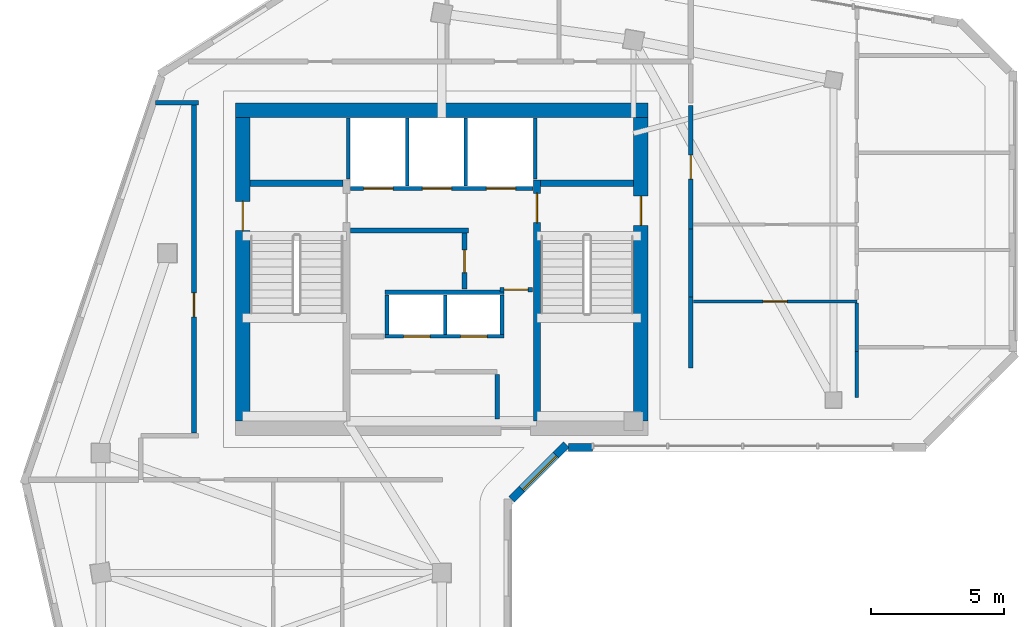
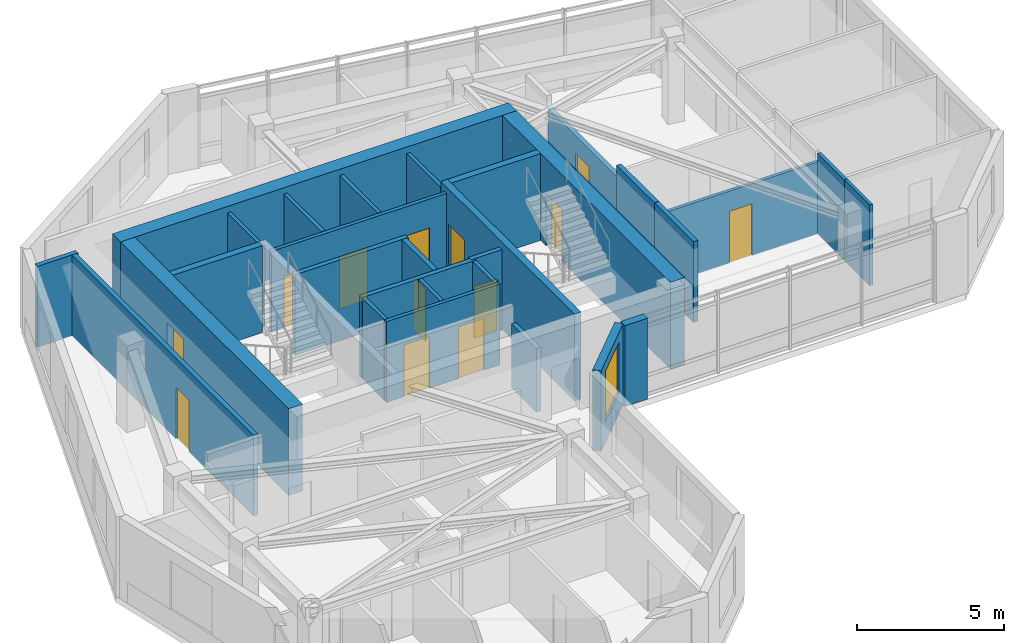
# One storey, part 5 of 10: 30 walls, 13 doors, 1 window, 14 openings.
"""IFC4 building model written with IfcOpenShell, lengths in metres."""

from ifc_helpers import new_model, si_unit, direction, frame, frame_2d, origin, place, context, subcontext, project, spatial, rectangle, extrude, source, transform, mapped, material, layer, layer_set, type_object, element, fill, save


model = new_model("IFC4")

# Units and contexts
model_context = context("Model", 3, precision=1e-05, world=origin(), true_north=direction((0.0, 1.0)))
body_context = subcontext(model_context, "Body", "Model", "MODEL_VIEW")
ifc_project = project(units=[si_unit("LENGTHUNIT", "METRE"), si_unit("AREAUNIT", "SQUARE_METRE"), si_unit("VOLUMEUNIT", "CUBIC_METRE"), si_unit("PLANEANGLEUNIT", "RADIAN"), si_unit("MASSUNIT", "GRAM", prefix="KILO")], contexts=[model_context])

# Site, building, storey
site_placement = place(None, origin())
site = spatial("IfcSite", under=ifc_project, at=site_placement, CompositionType="ELEMENT")
building_placement = place(site_placement, origin())
building = spatial("IfcBuilding", under=site, at=building_placement, Name="Calvemar Wedge Station Tower", CompositionType="ELEMENT")
storey_placement = place(building_placement, frame((0.0, 0.0, 252.89990234375)))
storey = spatial("IfcBuildingStorey", under=building, at=storey_placement, Name="L64", CompositionType="ELEMENT", Elevation=252.89990234375)

# Wall, opening, door
ifc_material_1 = material(Name="Concrete C50", Category="concrete")
ifc_layer_1 = layer(ifc_material_1, 0.260009765625)
ifc_layer_set_1 = layer_set([ifc_layer_1], Name="Concrete C50")
wall_type_1 = type_object("IfcWallType", Name="SW-CORE-260", PredefinedType="SHEAR", material=ifc_layer_set_1)
wall_1_placement = place(storey_placement, frame((27.3701171875, 34.199951171875, 0.0), z_axis=(0.0, 0.0, 1.0), x_axis=(0.0, 1.0, 0.0)))
wall_1 = element("IfcWall", 1, at=wall_1_placement, inside=storey, type_object=wall_type_1, Name="Storey L64 Core Shear Wall SPINE-E", PredefinedType="SHEAR", context=body_context, shape_type="SweptSolid", body=[
    extrude(rectangle(XDim=9.06005859375, YDim=0.260009765625, at=frame_2d((4.530029296875, 0.0))), origin(), (0.0, 0.0, 1.0), 3.60009765625),
])
shared_shape_1 = source(origin(), body_context, "Body", "SweptSolid", [
    extrude(rectangle(XDim=1.10009765625, YDim=2.14990234375, at=frame_2d((0.550048828125, 1.074951171875))), frame((0.0, 0.14013671875, 0.0), z_axis=(0.0, -1.0, 0.0), x_axis=(1.0, 0.0, 0.0)), (0.0, 0.0, 1.0), 0.280029296875),
])
opening_1_placement = place(wall_1_placement, frame((7.449951171875, 0.0, 0.0)))
opening_1 = element("IfcOpeningElement", 2, at=opening_1_placement, cuts=wall_1, Name="Opening FD-90", PredefinedType="OPENING", context=body_context, shape_type="MappedRepresentation", body=[
    mapped(shared_shape_1, transform((0.0, 0.0, 0.0), scale=1.0)),
])
ifc_material_2 = material(Name="Galvanized fire-rated steel door leaf P-90", Category="steel")
door_type_1 = type_object("IfcDoorType", Name="DR-FD90-1100", OperationType="NOTDEFINED", PredefinedType="DOOR", material=ifc_material_2)
shared_shape_2 = source(origin(), body_context, "Body", "SweptSolid", [
    extrude(rectangle(XDim=1.10009765625, YDim=2.14990234375, at=frame_2d((0.550048828125, 1.074951171875))), frame((0.0, 0.02490234375, 0.0), z_axis=(0.0, -1.0, 0.0), x_axis=(1.0, 0.0, 0.0)), (0.0, 0.0, 1.0), 0.050048828125),
])
door_1_placement = place(opening_1_placement, origin())
door_1 = element("IfcDoor", 3, at=door_1_placement, inside=storey, type_object=door_type_1, Name="L64 FF Lobby to Stair ST-C2 Door", OperationType="SINGLE_SWING_LEFT", OverallHeight=2.14990234375, OverallWidth=1.10009765625, PredefinedType="DOOR", context=body_context, shape_type="MappedRepresentation", body=[
    mapped(shared_shape_2, transform((0.0, 0.0, 0.0), scale=1.0)),
])
fill(opening_1, door_1)

# Walls
for number, where, z_axis, x_axis, name in (
    (4, (16.60009765625, 43.1298828125, 0.0), (0.0, 0.0, 1.0), (1.0, 0.0, 0.0), "Storey L64 Core Shear Wall STC1-N"),
    (5, (27.5, 43.1298828125, 0.0), (0.0, 0.0, 1.0), (1.0, 0.0, 0.0), "Storey L64 Core Shear Wall STC2-N"),
):
    element("IfcWall", number, at=place(storey_placement, frame(where, z_axis=z_axis, x_axis=x_axis)), inside=storey, type_object=wall_type_1, Name=name, PredefinedType="SHEAR", context=body_context, shape_type="SweptSolid", body=[
        extrude(rectangle(XDim=3.5, YDim=0.260009765625, at=frame_2d((1.75, 0.0))), origin(), (0.0, 0.0, 1.0), 3.60009765625),
    ])
ifc_material_3 = material(Name="Concrete C60", Category="concrete")
ifc_layer_2 = layer(ifc_material_3, 0.550048828125)
ifc_layer_set_2 = layer_set([ifc_layer_2], Name="Concrete C60")
wall_type_2 = type_object("IfcWallType", Name="SW-CORE-550", PredefinedType="SHEAR", material=ifc_layer_set_2)
wall_2_placement = place(storey_placement, frame((16.050048828125, 45.875, 0.0), z_axis=(0.0, 0.0, 1.0), x_axis=(1.0, 0.0, 0.0)))
element("IfcWall", 6, at=wall_2_placement, inside=storey, type_object=wall_type_2, Name="Storey L64 Core Shear Wall N", PredefinedType="SHEAR", context=body_context, shape_type="SweptSolid", body=[
    extrude(rectangle(XDim=15.5, YDim=0.550048828125, at=frame_2d((7.75, 0.0))), origin(), (0.0, 0.0, 1.0), 3.60009765625),
])

# Wall, opening, door
wall_3_placement = place(storey_placement, frame((16.324951171875, 34.199951171875, 0.0), z_axis=(0.0, 0.0, 1.0), x_axis=(0.0, 1.0, 0.0)))
wall_3 = element("IfcWall", 7, at=wall_3_placement, inside=storey, type_object=wall_type_2, Name="Storey L64 Core Shear Wall W", PredefinedType="SHEAR", context=body_context, shape_type="SweptSolid", body=[
    extrude(rectangle(XDim=11.400146484375, YDim=0.550048828125, at=frame_2d((5.7001953125, 0.0))), origin(), (0.0, 0.0, 1.0), 3.60009765625),
])
shared_shape_3 = source(origin(), body_context, "Body", "SweptSolid", [
    extrude(rectangle(XDim=1.10009765625, YDim=2.14990234375, at=frame_2d((0.550048828125, 1.074951171875))), frame((0.0, 0.28515625, 0.0), z_axis=(0.0, -1.0, 0.0), x_axis=(1.0, 0.0, 0.0)), (0.0, 0.0, 1.0), 0.570068359375),
])
opening_2_placement = place(wall_3_placement, frame((7.14990234375, 0.0, 0.0)))
opening_2 = element("IfcOpeningElement", 8, at=opening_2_placement, cuts=wall_3, Name="Opening FD-90", PredefinedType="OPENING", context=body_context, shape_type="MappedRepresentation", body=[
    mapped(shared_shape_3, transform((0.0, 0.0, 0.0), scale=1.0)),
])
door_2_placement = place(opening_2_placement, origin())
door_2 = element("IfcDoor", 9, at=door_2_placement, inside=storey, type_object=door_type_1, Name="L64 West Corridor to Exit Stair ST-C1 Door", OperationType="SINGLE_SWING_RIGHT", OverallHeight=2.14990234375, OverallWidth=1.10009765625, PredefinedType="DOOR", context=body_context, shape_type="MappedRepresentation", body=[
    mapped(shared_shape_2, transform((0.0, 0.0, 0.0), scale=1.0)),
])
fill(opening_2, door_2)

wall_4_placement = place(storey_placement, frame((31.27490234375, 34.199951171875, 0.0), z_axis=(0.0, 0.0, 1.0), x_axis=(0.0, 1.0, 0.0)))
wall_4 = element("IfcWall", 10, at=wall_4_placement, inside=storey, type_object=wall_type_2, Name="Storey L64 Core Shear Wall E", PredefinedType="SHEAR", context=body_context, shape_type="SweptSolid", body=[
    extrude(rectangle(XDim=11.400146484375, YDim=0.550048828125, at=frame_2d((5.7001953125, 0.0))), origin(), (0.0, 0.0, 1.0), 3.60009765625),
])
opening_3_placement = place(wall_4_placement, frame((7.35009765625, 0.0, 0.0)))
opening_3 = element("IfcOpeningElement", 11, at=opening_3_placement, cuts=wall_4, Name="Opening FD-90", PredefinedType="OPENING", context=body_context, shape_type="MappedRepresentation", body=[
    mapped(shared_shape_3, transform((0.0, 0.0, 0.0), scale=1.0)),
])
door_3_placement = place(opening_3_placement, origin())
door_3 = element("IfcDoor", 12, at=door_3_placement, inside=storey, type_object=door_type_1, Name="L64 East Corridor to Exit Stair ST-C2 Door", OperationType="SINGLE_SWING_LEFT", OverallHeight=2.14990234375, OverallWidth=1.10009765625, PredefinedType="DOOR", context=body_context, shape_type="MappedRepresentation", body=[
    mapped(shared_shape_2, transform((0.0, 0.0, 0.0), scale=1.0)),
])
fill(opening_3, door_3)

# Wall
ifc_material_4 = material(Name="Double-stud fire-rated corridor partition")
ifc_layer_3 = layer(ifc_material_4, 0.179931640625)
ifc_layer_set_3 = layer_set([ifc_layer_3], Name="Double-stud fire-rated corridor partition")
wall_type_3 = type_object("IfcWallType", Name="W-CORR-180", PredefinedType="PARTITIONING", material=ifc_layer_set_3)
wall_5_placement = place(storey_placement, frame((24.81005859375, 41.35009765625, 0.0), z_axis=(0.0, 0.0, 1.0), x_axis=(-1.0, 0.0, 0.0)))
element("IfcWall", 13, at=wall_5_placement, inside=storey, type_object=wall_type_3, Name="Storey L64 Interior Partition WL-L64-001", PredefinedType="PARTITIONING", context=body_context, shape_type="SweptSolid", body=[
    extrude(rectangle(XDim=4.43017578125, YDim=0.179931640625, at=frame_2d((2.215087890625, 0.0))), origin(), (0.0, 0.0, 1.0), 3.35009765625),
])

# Wall, opening, door
wall_6_placement = place(storey_placement, frame((24.64990234375, 41.256103515625, 0.0), z_axis=(0.0, 0.0, 1.0), x_axis=(0.0, -1.0, 0.0)))
wall_6 = element("IfcWall", 14, at=wall_6_placement, inside=storey, type_object=wall_type_3, Name="Storey L64 Interior Partition WL-L64-002", PredefinedType="PARTITIONING", context=body_context, shape_type="SweptSolid", body=[
    extrude(rectangle(XDim=2.106201171875, YDim=0.179931640625, at=frame_2d((1.05322265625, 0.0))), origin(), (0.0, 0.0, 1.0), 3.35009765625),
])
shared_shape_4 = source(origin(), body_context, "Body", "SweptSolid", [
    extrude(rectangle(XDim=0.85009765625, YDim=2.14990234375, at=frame_2d((0.425048828125, 1.074951171875))), frame((0.0, 0.10009765625, 0.0), z_axis=(0.0, -1.0, 0.0), x_axis=(1.0, 0.0, 0.0)), (0.0, 0.0, 1.0), 0.199951171875),
])
opening_4_placement = place(wall_6_placement, frame((0.6279296875, 0.0, 0.0)))
opening_4 = element("IfcOpeningElement", 15, at=opening_4_placement, cuts=wall_6, Name="Opening FD-60S", PredefinedType="OPENING", context=body_context, shape_type="MappedRepresentation", body=[
    mapped(shared_shape_4, transform((0.0, 0.0, 0.0), scale=1.0)),
])
ifc_material_5 = material(Name="Fire-rated steel and hardwood service door EI 60", Category="steel")
door_type_2 = type_object("IfcDoorType", Name="DR-CORE-FD60-850", OperationType="NOTDEFINED", PredefinedType="DOOR", material=ifc_material_5)
shared_shape_5 = source(origin(), body_context, "Body", "SweptSolid", [
    extrude(rectangle(XDim=0.85009765625, YDim=2.14990234375, at=frame_2d((0.425048828125, 1.074951171875))), frame((0.0, 0.02490234375, 0.0), z_axis=(0.0, -1.0, 0.0), x_axis=(1.0, 0.0, 0.0)), (0.0, 0.0, 1.0), 0.050048828125),
])
door_4_placement = place(opening_4_placement, origin())
door_4 = element("IfcDoor", 16, at=door_4_placement, inside=storey, type_object=door_type_2, Name="L64 Cleaner and Linen Store Door", OperationType="SINGLE_SWING_LEFT", OverallHeight=2.14990234375, OverallWidth=0.85009765625, PredefinedType="DOOR", context=body_context, shape_type="MappedRepresentation", body=[
    mapped(shared_shape_5, transform((0.0, 0.0, 0.0), scale=1.0)),
])
fill(opening_4, door_4)

wall_7_placement = place(storey_placement, frame((27.199951171875, 39.1298828125, 0.0), z_axis=(0.0, 0.0, 1.0), x_axis=(-1.0, 0.0, 0.0)))
wall_7 = element("IfcWall", 17, at=wall_7_placement, inside=storey, type_object=wall_type_3, Name="Storey L64 Interior Partition WL-L64-004", PredefinedType="PARTITIONING", context=body_context, shape_type="SweptSolid", body=[
    extrude(rectangle(XDim=1.2099609375, YDim=0.179931640625, at=frame_2d((0.60498046875, 0.0))), origin(), (0.0, 0.0, 1.0), 3.35009765625),
])
shared_shape_6 = source(origin(), body_context, "Body", "SweptSolid", [
    extrude(rectangle(XDim=0.89990234375, YDim=2.14990234375, at=frame_2d((0.449951171875, 1.074951171875))), frame((0.0, 0.10009765625, 0.0), z_axis=(0.0, -1.0, 0.0), x_axis=(1.0, 0.0, 0.0)), (0.0, 0.0, 1.0), 0.199951171875),
])
opening_5_placement = place(wall_7_placement, frame((0.155029296875, 0.0, 0.0)))
opening_5 = element("IfcOpeningElement", 18, at=opening_5_placement, cuts=wall_7, Name="Opening FD-60", PredefinedType="OPENING", context=body_context, shape_type="MappedRepresentation", body=[
    mapped(shared_shape_6, transform((0.0, 0.0, 0.0), scale=1.0)),
])
ifc_material_6 = material(Name="Fire-rated acoustic timber-core entrance door EI 60", Category="wood")
door_type_3 = type_object("IfcDoorType", Name="DR-FD60-900", OperationType="NOTDEFINED", PredefinedType="DOOR", material=ifc_material_6)
shared_shape_7 = source(origin(), body_context, "Body", "SweptSolid", [
    extrude(rectangle(XDim=0.89990234375, YDim=2.14990234375, at=frame_2d((0.449951171875, 1.074951171875))), frame((0.0, 0.02490234375, 0.0), z_axis=(0.0, -1.0, 0.0), x_axis=(1.0, 0.0, 0.0)), (0.0, 0.0, 1.0), 0.050048828125),
])
door_5_placement = place(opening_5_placement, origin())
door_5 = element("IfcDoor", 19, at=door_5_placement, inside=storey, type_object=door_type_3, Name="L64 Core Service Lobby Door", OperationType="SINGLE_SWING_RIGHT", OverallHeight=2.14990234375, OverallWidth=0.89990234375, PredefinedType="DOOR", context=body_context, shape_type="MappedRepresentation", body=[
    mapped(shared_shape_7, transform((0.0, 0.0, 0.0), scale=1.0)),
])
fill(opening_5, door_5)

# Wall
wall_8_placement = place(storey_placement, frame((25.8798828125, 35.9560546875, 0.0), z_axis=(0.0, 0.0, 1.0), x_axis=(0.0, -1.0, 0.0)))
element("IfcWall", 20, at=wall_8_placement, inside=storey, type_object=wall_type_3, Name="Storey L64 Interior Partition WL-L64-006", PredefinedType="PARTITIONING", context=body_context, shape_type="SweptSolid", body=[
    extrude(rectangle(XDim=1.68603515625, YDim=0.179931640625, at=frame_2d((0.843017578125, 0.0))), origin(), (0.0, 0.0, 1.0), 2.64208984375),
])

# Wall, opening, door
wall_9_placement = place(storey_placement, frame((14.5, 33.743896484375, 0.0), z_axis=(0.0, 0.0, 1.0), x_axis=(0.0, 1.0, 0.0)))
wall_9 = element("IfcWall", 21, at=wall_9_placement, inside=storey, type_object=wall_type_3, Name="Storey L64 Interior Partition WL-L64-012", PredefinedType="PARTITIONING", context=body_context, shape_type="SweptSolid", body=[
    extrude(rectangle(XDim=12.406005859375, YDim=0.179931640625, at=frame_2d((6.203125, 0.0))), origin(), (0.0, 0.0, 1.0), 3.35009765625),
])
opening_6_placement = place(wall_9_placement, frame((4.36962890625, 0.0, 0.0)))
opening_6 = element("IfcOpeningElement", 22, at=opening_6_placement, cuts=wall_9, Name="Opening D-01", PredefinedType="OPENING", context=body_context, shape_type="MappedRepresentation", body=[
    mapped(shared_shape_6, transform((0.0, 0.0, 0.0), scale=1.0)),
])
ifc_material_7 = material(Name="Architectural hardwood acoustic swing door", Category="wood")
door_type_4 = type_object("IfcDoorType", Name="DR-INT-900", OperationType="NOTDEFINED", PredefinedType="DOOR", material=ifc_material_7)
shared_shape_8 = source(origin(), body_context, "Body", "SweptSolid", [
    extrude(rectangle(XDim=0.89990234375, YDim=2.14990234375, at=frame_2d((0.449951171875, 1.074951171875))), frame((0.0, 0.02490234375, 0.0), z_axis=(0.0, -1.0, 0.0), x_axis=(1.0, 0.0, 0.0)), (0.0, 0.0, 1.0), 0.050048828125),
])
door_6_placement = place(opening_6_placement, origin())
door_6 = element("IfcDoor", 23, at=door_6_placement, inside=storey, type_object=door_type_4, Name="L64 Resident Reading Lounge Door", OperationType="SINGLE_SWING_RIGHT", OverallHeight=2.14990234375, OverallWidth=0.89990234375, PredefinedType="DOOR", context=body_context, shape_type="MappedRepresentation", body=[
    mapped(shared_shape_8, transform((0.0, 0.0, 0.0), scale=1.0)),
])
fill(opening_6, door_6)

# Walls
wall_10_placement = place(storey_placement, frame((14.659912109375, 46.14990234375, 0.0), z_axis=(0.0, 0.0, 1.0), x_axis=(-1.0, 0.0, 0.0)))
element("IfcWall", 24, at=wall_10_placement, inside=storey, type_object=wall_type_3, Name="Storey L64 Interior Partition WL-L64-013", PredefinedType="PARTITIONING", context=body_context, shape_type="SweptSolid", body=[
    extrude(rectangle(XDim=1.602294921875, YDim=0.179931640625, at=frame_2d((0.80126953125, 0.0))), origin(), (0.0, 0.0, 1.0), 3.35009765625),
])
wall_11_placement = place(storey_placement, frame((33.14990234375, 38.85205078125, 0.0), z_axis=(0.0, 0.0, 1.0), x_axis=(0.0, -1.0, 0.0)))
element("IfcWall", 25, at=wall_11_placement, inside=storey, type_object=wall_type_3, Name="Storey L64 Interior Partition WL-L64-018", PredefinedType="PARTITIONING", context=body_context, shape_type="SweptSolid", body=[
    extrude(rectangle(XDim=2.652099609375, YDim=0.179931640625, at=frame_2d((1.326171875, 0.0))), origin(), (0.0, 0.0, 1.0), 3.35009765625),
])

# Wall, opening, door
wall_12_placement = place(storey_placement, frame((33.14990234375, 46.055908203125, 0.0), z_axis=(0.0, 0.0, 1.0), x_axis=(0.0, -1.0, 0.0)))
wall_12 = element("IfcWall", 26, at=wall_12_placement, inside=storey, type_object=wall_type_3, Name="Storey L64 Interior Partition WL-L64-019", PredefinedType="PARTITIONING", context=body_context, shape_type="SweptSolid", body=[
    extrude(rectangle(XDim=4.635986328125, YDim=0.179931640625, at=frame_2d((2.31787109375, 0.0))), origin(), (0.0, 0.0, 1.0), 2.879150390625),
])
opening_7_placement = place(wall_12_placement, frame((1.867919921875, 0.0, 0.0)))
opening_7 = element("IfcOpeningElement", 27, at=opening_7_placement, cuts=wall_12, Name="Opening FD-60", PredefinedType="OPENING", context=body_context, shape_type="MappedRepresentation", body=[
    mapped(shared_shape_6, transform((0.0, 0.0, 0.0), scale=1.0)),
])
door_7_placement = place(opening_7_placement, origin())
door_7 = element("IfcDoor", 28, at=door_7_placement, inside=storey, type_object=door_type_3, Name="L64 Living Dining Door", OperationType="SINGLE_SWING_LEFT", OverallHeight=2.14990234375, OverallWidth=0.89990234375, PredefinedType="DOOR", context=body_context, shape_type="MappedRepresentation", body=[
    mapped(shared_shape_7, transform((0.0, 0.0, 0.0), scale=1.0)),
])
fill(opening_7, door_7)

# Wall
wall_13_placement = place(storey_placement, frame((33.14990234375, 41.41796875, 0.0), z_axis=(0.0, 0.0, 1.0), x_axis=(0.0, -1.0, 0.0)))
element("IfcWall", 29, at=wall_13_placement, inside=storey, type_object=wall_type_3, Name="Storey L64 Interior Partition WL-L64-020", PredefinedType="PARTITIONING", context=body_context, shape_type="SweptSolid", body=[
    extrude(rectangle(XDim=2.56396484375, YDim=0.179931640625, at=frame_2d((1.281982421875, 0.0))), origin(), (0.0, 0.0, 1.0), 3.35009765625),
])

# Wall, opening, window
ifc_material_8 = material(Name="Precast concrete C45", Category="concrete")
ifc_layer_4 = layer(ifc_material_8, 0.300048828125)
ifc_layer_set_4 = layer_set([ifc_layer_4], Name="Precast concrete C45")
wall_type_4 = type_object("IfcWallType", Name="W-EXT-GFRC-300", PredefinedType="SOLIDWALL", material=ifc_layer_set_4)
wall_14_placement = place(storey_placement, frame((26.419921875, 31.256103515625, 0.0), z_axis=(0.0, 0.0, 1.0), x_axis=(0.707106781187, 0.707106781187, 0.0)))
wall_14 = element("IfcWall", 30, at=wall_14_placement, inside=storey, type_object=wall_type_4, Name="Storey L64 Bronze GFRC Exterior Wall 5", PredefinedType="SOLIDWALL", context=body_context, shape_type="SweptSolid", body=[
    extrude(rectangle(XDim=2.907470703125, YDim=0.300048828125, at=frame_2d((1.45361328125, 0.0))), origin(), (0.0, 0.0, 1.0), 3.35009765625),
])
shared_shape_9 = source(origin(), body_context, "Body", "SweptSolid", [
    extrude(rectangle(XDim=1.800048828125, YDim=2.10009765625, at=frame_2d((0.89990234375, 1.050048828125))), frame((0.0, 0.16015625, 0.0), z_axis=(0.0, -1.0, 0.0), x_axis=(1.0, 0.0, 0.0)), (0.0, 0.0, 1.0), 0.320068359375),
])
opening_8_placement = place(wall_14_placement, frame((0.553955078125, 0.0, 0.85009765625)))
opening_8 = element("IfcOpeningElement", 31, at=opening_8_placement, cuts=wall_14, Name="Opening W2", PredefinedType="OPENING", context=body_context, shape_type="MappedRepresentation", body=[
    mapped(shared_shape_9, transform((0.0, 0.0, 0.0), scale=1.0)),
])
ifc_material_9 = material(Name="Low-E laminated insulated glass", Category="glass")
window_type = type_object("IfcWindowType", Name="WIN-EXT-2", PartitioningType="SINGLE_PANEL", PredefinedType="WINDOW", material=ifc_material_9)
shared_shape_10 = source(origin(), body_context, "Body", "SweptSolid", [
    extrude(rectangle(XDim=1.800048828125, YDim=2.10009765625, at=frame_2d((0.89990234375, 1.050048828125))), frame((0.0, -0.014892578125, 0.0), z_axis=(0.0, -1.0, 0.0), x_axis=(1.0, 0.0, 0.0)), (0.0, 0.0, 1.0), 0.06005859375),
])
window_placement = place(opening_8_placement, origin())
window = element("IfcWindow", 32, at=window_placement, inside=storey, type_object=window_type, Name="Storey L64 Recessed Window 5.1", OverallHeight=2.10009765625, OverallWidth=1.800048828125, PartitioningType="SINGLE_PANEL", PredefinedType="WINDOW", context=body_context, shape_type="MappedRepresentation", body=[
    mapped(shared_shape_10, transform((0.0, 0.0, 0.0), scale=1.0)),
])
fill(opening_8, window)

# Wall
wall_15_placement = place(storey_placement, frame((28.56494140625, 33.2060546875, 0.0), z_axis=(0.0, 0.0, 1.0), x_axis=(1.0, 0.0, 0.0)))
element("IfcWall", 33, at=wall_15_placement, inside=storey, type_object=wall_type_4, Name="Storey L64 Bronze GFRC Corner Pier 6A", PredefinedType="SOLIDWALL", context=body_context, shape_type="SweptSolid", body=[
    extrude(rectangle(XDim=0.885009765625, YDim=0.300048828125, at=frame_2d((0.4423828125, 0.0))), origin(), (0.0, 0.0, 1.0), 3.35009765625),
])

# Wall, openings, doors
ifc_material_10 = material(Name="Reinforced concrete blockwork lift shaft wall", Category="masonry")
ifc_layer_5 = layer(ifc_material_10, 0.139892578125)
ifc_layer_set_5 = layer_set([ifc_layer_5], Name="Reinforced concrete blockwork lift shaft wall")
wall_type_5 = type_object("IfcWallType", Name="W-LIFT-160", PredefinedType="SOLIDWALL", material=ifc_layer_set_5)
wall_16_placement = place(storey_placement, frame((20.3701171875, 42.929931640625, 0.0), z_axis=(0.0, 0.0, 1.0), x_axis=(1.0, 0.0, 0.0)))
wall_16 = element("IfcWall", 34, at=wall_16_placement, inside=storey, type_object=wall_type_5, Name="Storey L64 Firefighting and Service Lift Shaft Front Wall", PredefinedType="SOLIDWALL", context=body_context, shape_type="SweptSolid", body=[
    extrude(rectangle(XDim=6.85986328125, YDim=0.139892578125, at=frame_2d((3.429931640625, 0.0))), origin(), (0.0, 0.0, 1.0), 3.35009765625),
])
shared_shape_11 = source(origin(), body_context, "Body", "SweptSolid", [
    extrude(rectangle(XDim=1.10009765625, YDim=2.14990234375, at=frame_2d((0.550048828125, 1.074951171875))), frame((0.0, 0.080078125, 0.0), z_axis=(0.0, -1.0, 0.0), x_axis=(1.0, 0.0, 0.0)), (0.0, 0.0, 1.0), 0.159912109375),
])
opening_9_placement = place(wall_16_placement, frame((0.5, 0.0, 0.0)))
opening_9 = element("IfcOpeningElement", 35, at=opening_9_placement, cuts=wall_16, Name="Opening LD-FF", PredefinedType="OPENING", context=body_context, shape_type="MappedRepresentation", body=[
    mapped(shared_shape_11, transform((0.0, 0.0, 0.0), scale=1.0)),
])
opening_10_placement = place(wall_16_placement, frame((2.699951171875, 0.0, 0.0)))
opening_10 = element("IfcOpeningElement", 36, at=opening_10_placement, cuts=wall_16, Name="Opening LD-FF", PredefinedType="OPENING", context=body_context, shape_type="MappedRepresentation", body=[
    mapped(shared_shape_11, transform((0.0, 0.0, 0.0), scale=1.0)),
])
opening_11_placement = place(wall_16_placement, frame((5.10009765625, 0.0, 0.0)))
opening_11 = element("IfcOpeningElement", 37, at=opening_11_placement, cuts=wall_16, Name="Opening LD-STN", PredefinedType="OPENING", context=body_context, shape_type="MappedRepresentation", body=[
    mapped(shared_shape_11, transform((0.0, 0.0, 0.0), scale=1.0)),
])
ifc_material_11 = material(Name="Stainless steel firefighting lift sliding landing door", Category="steel")
door_type_5 = type_object("IfcDoorType", Name="DR-LD-FF-1100", OperationType="SLIDING_TO_LEFT", PredefinedType="DOOR", material=ifc_material_11)
shared_shape_12 = source(origin(), body_context, "Body", "SweptSolid", [
    extrude(rectangle(XDim=1.10009765625, YDim=2.14990234375, at=frame_2d((0.550048828125, 1.074951171875))), frame((0.0, 0.02490234375, 0.0), z_axis=(0.0, -1.0, 0.0), x_axis=(1.0, 0.0, 0.0)), (0.0, 0.0, 1.0), 0.050048828125),
])
door_8_placement = place(opening_9_placement, origin())
door_8 = element("IfcDoor", 38, at=door_8_placement, inside=storey, type_object=door_type_5, Name="L64 Lift FF-01 Sliding Landing Door", OperationType="SLIDING_TO_LEFT", OverallHeight=2.14990234375, OverallWidth=1.10009765625, PredefinedType="DOOR", context=body_context, shape_type="MappedRepresentation", body=[
    mapped(shared_shape_12, transform((0.0, 0.0, 0.0), scale=1.0)),
])
fill(opening_9, door_8)
door_9_placement = place(opening_10_placement, origin())
door_9 = element("IfcDoor", 39, at=door_9_placement, inside=storey, type_object=door_type_5, Name="L64 Lift FF-02 Sliding Landing Door", OperationType="SLIDING_TO_RIGHT", OverallHeight=2.14990234375, OverallWidth=1.10009765625, PredefinedType="DOOR", context=body_context, shape_type="MappedRepresentation", body=[
    mapped(shared_shape_12, transform((0.0, 0.0, 0.0), scale=1.0)),
])
fill(opening_10, door_9)
ifc_material_12 = material(Name="Stainless steel transit lift sliding landing door", Category="steel")
door_type_6 = type_object("IfcDoorType", Name="DR-LD-PAX-1100", OperationType="SLIDING_TO_LEFT", PredefinedType="DOOR", material=ifc_material_12)
shared_shape_13 = source(origin(), body_context, "Body", "SweptSolid", [
    extrude(rectangle(XDim=1.10009765625, YDim=2.14990234375, at=frame_2d((0.550048828125, 1.074951171875))), frame((0.0, 0.02490234375, 0.0), z_axis=(0.0, -1.0, 0.0), x_axis=(1.0, 0.0, 0.0)), (0.0, 0.0, 1.0), 0.050048828125),
])
door_10_placement = place(opening_11_placement, origin())
door_10 = element("IfcDoor", 40, at=door_10_placement, inside=storey, type_object=door_type_6, Name="L64 Lift SV-01 Sliding Landing Door", OperationType="SLIDING_TO_LEFT", OverallHeight=2.14990234375, OverallWidth=1.10009765625, PredefinedType="DOOR", context=body_context, shape_type="MappedRepresentation", body=[
    mapped(shared_shape_13, transform((0.0, 0.0, 0.0), scale=1.0)),
])
fill(opening_11, door_10)

# Walls
for number, where, z_axis, x_axis, name in (
    (41, (20.2900390625, 43.280029296875, 0.0), (0.0, 0.0, 1.0), (0.0, 1.0, 0.0), "Storey L64 Firefighting Lift Shaft Enclosure Wall W"),
    (42, (27.31005859375, 43.280029296875, 0.0), (0.0, 0.0, 1.0), (0.0, 1.0, 0.0), "Storey L64 Firefighting Lift Shaft Enclosure Wall E"),
):
    element("IfcWall", number, at=place(storey_placement, frame(where, z_axis=z_axis, x_axis=x_axis)), inside=storey, type_object=wall_type_5, Name=name, PredefinedType="SOLIDWALL", context=body_context, shape_type="SweptSolid", body=[
        extrude(rectangle(XDim=2.300048828125, YDim=0.139892578125, at=frame_2d((1.14990234375, 0.0))), origin(), (0.0, 0.0, 1.0), 3.35009765625),
    ])
for number, where, z_axis, x_axis, name in (
    (43, (22.5, 43.02001953125, 0.0), (0.0, 0.0, 1.0), (0.0, 1.0, 0.0), "Storey L64 Firefighting Lift Shaft Enclosure Wall D1"),
    (44, (24.699951171875, 43.02001953125, 0.0), (0.0, 0.0, 1.0), (0.0, 1.0, 0.0), "Storey L64 Firefighting Lift Shaft Enclosure Wall D2"),
):
    element("IfcWall", number, at=place(storey_placement, frame(where, z_axis=z_axis, x_axis=x_axis)), inside=storey, type_object=wall_type_5, Name=name, PredefinedType="SOLIDWALL", context=body_context, shape_type="SweptSolid", body=[
        extrude(rectangle(XDim=2.56005859375, YDim=0.139892578125, at=frame_2d((1.280029296875, 0.0))), origin(), (0.0, 0.0, 1.0), 3.35009765625),
    ])

# Wall, openings, doors
wall_17_placement = place(storey_placement, frame((21.669921875, 37.3798828125, 0.0), z_axis=(0.0, 0.0, 1.0), x_axis=(1.0, 0.0, 0.0)))
wall_17 = element("IfcWall", 45, at=wall_17_placement, inside=storey, type_object=wall_type_5, Name="Storey L64 Upper Passenger Lift Bank Front Wall", PredefinedType="SOLIDWALL", context=body_context, shape_type="SweptSolid", body=[
    extrude(rectangle(XDim=4.4599609375, YDim=0.139892578125, at=frame_2d((2.22998046875, 0.0))), origin(), (0.0, 0.0, 1.0), 3.35009765625),
])
shared_shape_14 = source(origin(), body_context, "Body", "SweptSolid", [
    extrude(rectangle(XDim=1.0, YDim=2.14990234375, at=frame_2d((0.5, 1.074951171875))), frame((0.0, 0.080078125, 0.0), z_axis=(0.0, -1.0, 0.0), x_axis=(1.0, 0.0, 0.0)), (0.0, 0.0, 1.0), 0.159912109375),
])
opening_12_placement = place(wall_17_placement, frame((0.695068359375, 0.0, 0.0)))
opening_12 = element("IfcOpeningElement", 46, at=opening_12_placement, cuts=wall_17, Name="Opening LD-PAX", PredefinedType="OPENING", context=body_context, shape_type="MappedRepresentation", body=[
    mapped(shared_shape_14, transform((0.0, 0.0, 0.0), scale=1.0)),
])
opening_13_placement = place(wall_17_placement, frame((2.8349609375, 0.0, 0.0)))
opening_13 = element("IfcOpeningElement", 47, at=opening_13_placement, cuts=wall_17, Name="Opening LD-PAX", PredefinedType="OPENING", context=body_context, shape_type="MappedRepresentation", body=[
    mapped(shared_shape_14, transform((0.0, 0.0, 0.0), scale=1.0)),
])
ifc_material_13 = material(Name="Anodised bronze passenger lift sliding landing door")
door_type_7 = type_object("IfcDoorType", Name="DR-LD-PAX-1000", OperationType="SLIDING_TO_LEFT", PredefinedType="DOOR", material=ifc_material_13)
shared_shape_15 = source(origin(), body_context, "Body", "SweptSolid", [
    extrude(rectangle(XDim=1.0, YDim=2.14990234375, at=frame_2d((0.5, 1.074951171875))), frame((0.0, 0.02490234375, 0.0), z_axis=(0.0, -1.0, 0.0), x_axis=(1.0, 0.0, 0.0)), (0.0, 0.0, 1.0), 0.050048828125),
])
door_11_placement = place(opening_12_placement, origin())
door_11 = element("IfcDoor", 48, at=door_11_placement, inside=storey, type_object=door_type_7, Name="L64 Lift RH-02 Sliding Landing Door", OperationType="SLIDING_TO_RIGHT", OverallHeight=2.14990234375, OverallWidth=1.0, PredefinedType="DOOR", context=body_context, shape_type="MappedRepresentation", body=[
    mapped(shared_shape_15, transform((0.0, 0.0, 0.0), scale=1.0)),
])
fill(opening_12, door_11)
door_12_placement = place(opening_13_placement, origin())
door_12 = element("IfcDoor", 49, at=door_12_placement, inside=storey, type_object=door_type_7, Name="L64 Lift RH-03 Sliding Landing Door", OperationType="SLIDING_TO_LEFT", OverallHeight=2.14990234375, OverallWidth=1.0, PredefinedType="DOOR", context=body_context, shape_type="MappedRepresentation", body=[
    mapped(shared_shape_15, transform((0.0, 0.0, 0.0), scale=1.0)),
])
fill(opening_13, door_12)

# Walls
for number, where, z_axis, x_axis, name in (
    (50, (26.06005859375, 37.4599609375, 0.0), (0.0, 0.0, 1.0), (0.0, 1.0, 0.0), "Storey L64 Upper Passenger Lift Shaft Wall E"),
    (51, (21.739990234375, 37.4599609375, 0.0), (0.0, 0.0, 1.0), (0.0, 1.0, 0.0), "Storey L64 Upper Passenger Lift Shaft Wall W"),
    (52, (23.93505859375, 37.4599609375, 0.0), (0.0, 0.0, 1.0), (0.0, 1.0, 0.0), "Storey L64 Upper Passenger Lift Shaft Wall D1"),
):
    element("IfcWall", number, at=place(storey_placement, frame(where, z_axis=z_axis, x_axis=x_axis)), inside=storey, type_object=wall_type_5, Name=name, PredefinedType="SOLIDWALL", context=body_context, shape_type="SweptSolid", body=[
        extrude(rectangle(XDim=1.47998046875, YDim=0.139892578125, at=frame_2d((0.739990234375, 0.0))), origin(), (0.0, 0.0, 1.0), 3.35009765625),
    ])

# Wall, opening, door
ifc_material_14 = material(Name="Insulated acoustic gypsum stud partition")
ifc_layer_6 = layer(ifc_material_14, 0.125)
ifc_layer_set_6 = layer_set([ifc_layer_6], Name="Insulated acoustic gypsum stud partition")
wall_type_6 = type_object("IfcWallType", Name="W-PART-125", PredefinedType="PARTITIONING", material=ifc_layer_set_6)
wall_18_placement = place(storey_placement, frame((33.243896484375, 38.69189453125, 0.0), z_axis=(0.0, 0.0, 1.0), x_axis=(1.0, 0.0, 0.0)))
wall_18 = element("IfcWall", 53, at=wall_18_placement, inside=storey, type_object=wall_type_6, Name="Storey L64 Interior Partition WL-L64-025", PredefinedType="PARTITIONING", context=body_context, shape_type="SweptSolid", body=[
    extrude(rectangle(XDim=6.13818359375, YDim=0.125, at=frame_2d((3.069091796875, 0.0))), origin(), (0.0, 0.0, 1.0), 2.97900390625),
])
shared_shape_16 = source(origin(), body_context, "Body", "SweptSolid", [
    extrude(rectangle(XDim=0.89990234375, YDim=2.14990234375, at=frame_2d((0.449951171875, 1.074951171875))), frame((0.0, 0.072509765625, 0.0), z_axis=(0.0, -1.0, 0.0), x_axis=(1.0, 0.0, 0.0)), (0.0, 0.0, 1.0), 0.14501953125),
])
opening_14_placement = place(wall_18_placement, frame((2.618896484375, 0.0, 0.0)))
opening_14 = element("IfcOpeningElement", 54, at=opening_14_placement, cuts=wall_18, Name="Opening D-01", PredefinedType="OPENING", context=body_context, shape_type="MappedRepresentation", body=[
    mapped(shared_shape_16, transform((0.0, 0.0, 0.0), scale=1.0)),
])
door_13_placement = place(opening_14_placement, origin())
door_13 = element("IfcDoor", 55, at=door_13_placement, inside=storey, type_object=door_type_4, Name="L64 Study Door", OperationType="SINGLE_SWING_RIGHT", OverallHeight=2.14990234375, OverallWidth=0.89990234375, PredefinedType="DOOR", context=body_context, shape_type="MappedRepresentation", body=[
    mapped(shared_shape_8, transform((0.0, 0.0, 0.0), scale=1.0)),
])
fill(opening_14, door_13)

# Walls
wall_19_placement = place(storey_placement, frame((39.382080078125, 38.62548828125, 0.0), z_axis=(0.0, 0.0, 1.0), x_axis=(0.0, -1.0, 0.0)))
element("IfcWall", 56, at=wall_19_placement, inside=storey, type_object=wall_type_6, Name="Storey L64 Interior Partition WL-L64-026", PredefinedType="PARTITIONING", context=body_context, shape_type="SweptSolid", body=[
    extrude(rectangle(XDim=1.8125, YDim=0.125, at=frame_2d((0.90625, 0.0))), origin(), (0.0, 0.0, 1.0), 3.35009765625),
])
wall_20_placement = place(storey_placement, frame((39.382080078125, 36.81103515625, 0.0), z_axis=(0.0, 0.0, 1.0), x_axis=(0.0, -1.0, 0.0)))
element("IfcWall", 57, at=wall_20_placement, inside=storey, type_object=wall_type_6, Name="Storey L64 Interior Partition WL-L64-027", PredefinedType="PARTITIONING", context=body_context, shape_type="SweptSolid", body=[
    extrude(rectangle(XDim=1.718994140625, YDim=0.125, at=frame_2d((0.859375, 0.0))), origin(), (0.0, 0.0, 1.0), 3.35009765625),
])
ifc_material_15 = material(Name="Concrete blockwork and fireboard shaft wall", Category="masonry")
ifc_layer_7 = layer(ifc_material_15, 0.199951171875)
ifc_layer_set_7 = layer_set([ifc_layer_7], Name="Concrete blockwork and fireboard shaft wall")
wall_type_7 = type_object("IfcWallType", Name="W-SHAFT-200", PredefinedType="SOLIDWALL", material=ifc_layer_set_7)
wall_21_placement = place(storey_placement, frame((21.669921875, 39.0400390625, 0.0), z_axis=(0.0, 0.0, 1.0), x_axis=(1.0, 0.0, 0.0)))
element("IfcWall", 58, at=wall_21_placement, inside=storey, type_object=wall_type_7, Name="Storey L64 Upper Passenger Lift Bank Rear Shaft Wall", PredefinedType="SOLIDWALL", context=body_context, shape_type="SweptSolid", body=[
    extrude(rectangle(XDim=4.4599609375, YDim=0.179931640625, at=frame_2d((2.22998046875, 0.0))), origin(), (0.0, 0.0, 1.0), 3.35009765625),
])

save(model, "model.ifc")
